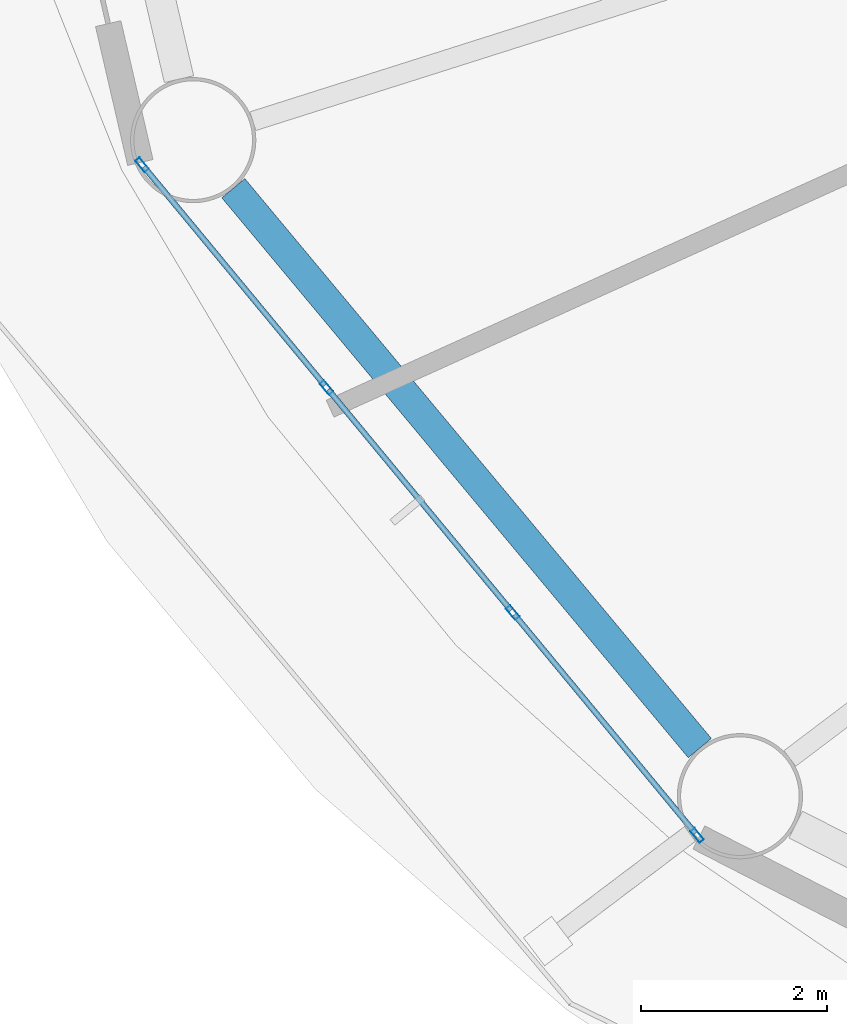
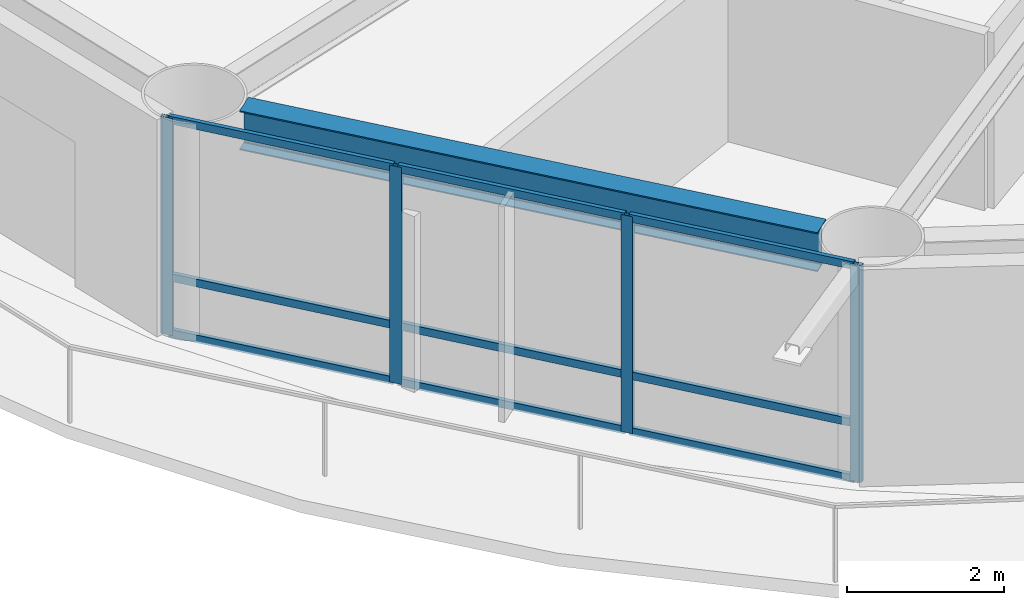
# One storey, part 2 of 24: 13 members, 1 beam, 1 element without a shape of its own.
"""IFC4 building model written with IfcOpenShell, lengths in metres."""

from ifc_helpers import new_model, si_unit, direction, frame, origin, origin_2d, place, context, subcontext, project, spatial, hollow_rectangle, i_section, extrude, material, layer, layer_set, material_profile, profile_set, type_object, element, aggregate, save


model = new_model("IFC4")

# Units and contexts
model_context = context("Model", 3, precision=1e-05, world=origin(), true_north=direction((0.0, 1.0)))
body_context = subcontext(model_context, "Body", "Model", "MODEL_VIEW")
ifc_project = project(units=[si_unit("LENGTHUNIT", "METRE"), si_unit("AREAUNIT", "SQUARE_METRE"), si_unit("VOLUMEUNIT", "CUBIC_METRE"), si_unit("PLANEANGLEUNIT", "RADIAN"), si_unit("MASSUNIT", "GRAM", prefix="KILO")], contexts=[model_context])

# Site, building, storey
site_placement = place(None, origin())
site = spatial("IfcSite", under=ifc_project, at=site_placement, CompositionType="ELEMENT")
building_placement = place(site_placement, origin())
building = spatial("IfcBuilding", under=site, at=building_placement, Name="Sarneth Arch Tower", CompositionType="ELEMENT")
storey_placement = place(building_placement, frame((0.0, 0.0, 120.0)))
storey = spatial("IfcBuildingStorey", under=building, at=storey_placement, Name="L30", CompositionType="ELEMENT", Elevation=120.0)

# Beam
ifc_material_1 = material(Name="Steel S355", Category="steel")
ifc_material_profile_1 = material_profile(ifc_material_1, i_section(OverallWidth=0.323974609375, OverallDepth=0.611083984375, WebThickness=0.0126953125, FlangeThickness=0.01904296875, FilletRadius=0.01904296875, at=origin_2d()), Name="W610x155")
ifc_profile_set_1 = profile_set([ifc_material_profile_1], Name="Steel S355")
beam_type = type_object("IfcBeamType", Name="BM-SPAN-610B", PredefinedType="SPANDREL", material=ifc_profile_set_1)
beam_placement = place(storey_placement, frame((22.140869140625, 33.138916015625, 3.074462890625), z_axis=(0.640169116175, -0.768234015581, 0.0), x_axis=(0.768234015581, 0.640169116175, 0.0)))
element("IfcBeam", 1, at=beam_placement, inside=storey, type_object=beam_type, Name="L30 Perimeter spandrel beam 10", PredefinedType="SPANDREL", context=body_context, shape_type="SweptSolid", body=[
    extrude(i_section(OverallWidth=0.323974609375, OverallDepth=0.611083984375, WebThickness=0.0126953125, FlangeThickness=0.01904296875, FilletRadius=0.01904296875, at=origin_2d()), origin(), (0.0, 0.0, 1.0), 7.856201171875),
])

# Curtain wall, members
ifc_material_2 = material(Name="Anodised aluminium Type AA25 and solar-control low-e laminated IGU", Category="aluminium")
ifc_layer = layer(ifc_material_2, 0.159912109375)
ifc_layer_set = layer_set([ifc_layer], Name="Anodised aluminium Type AA25 and solar-control low-e laminated IGU")
curtain_wall_type = type_object("IfcCurtainWallType", Name="CW-HOTEL-MID", PredefinedType="NOTDEFINED", material=ifc_layer_set)
curtain_wall_placement = place(storey_placement, origin())
curtain_wall = element("IfcCurtainWall", 2, at=curtain_wall_placement, inside=storey, type_object=curtain_wall_type, Name="L30 Unitised curtain wall facet 10", PredefinedType="NOTDEFINED")
ifc_material_3 = material(Name="Anodised Aluminium 6063-T6", Category="aluminium")
ifc_material_profile_2 = material_profile(ifc_material_3, hollow_rectangle(XDim=0.06005859375, YDim=0.159912109375, WallThickness=0.00390625, at=origin_2d()), Name="AL-MULL-160x60x4")
ifc_profile_set_2 = profile_set([ifc_material_profile_2], Name="Anodised Aluminium 6063-T6")
member_type_1 = type_object("IfcMemberType", Name="CW-MULLION", PredefinedType="MULLION", material=ifc_profile_set_2)
member_1_placement = place(storey_placement, frame((21.15771484375, 33.393310546875, 0.0), z_axis=(0.0, 0.0, 1.0), x_axis=(0.770437787363, 0.637515188684, 0.0)))
member_1 = element("IfcMember", 3, at=member_1_placement, type_object=member_type_1, Name="CW-SYS-4 mullion 1", PredefinedType="MULLION", context=body_context, shape_type="SweptSolid", body=[
    extrude(hollow_rectangle(XDim=0.06005859375, YDim=0.159912109375, WallThickness=0.00390625, at=origin_2d()), origin(), (0.0, 0.0, 1.0), 3.3798828125),
])
member_2_placement = place(storey_placement, frame((23.145751953125, 30.99072265625, 0.0), z_axis=(0.0, 0.0, 1.0), x_axis=(0.770437787363, 0.637515188684, 0.0)))
member_2 = element("IfcMember", 4, at=member_2_placement, type_object=member_type_1, Name="CW-SYS-4 mullion 2", PredefinedType="MULLION", context=body_context, shape_type="SweptSolid", body=[
    extrude(hollow_rectangle(XDim=0.06005859375, YDim=0.159912109375, WallThickness=0.00390625, at=origin_2d()), origin(), (0.0, 0.0, 1.0), 3.3798828125),
])
member_3_placement = place(storey_placement, frame((25.15283203125, 28.565185546875, 0.0), z_axis=(0.0, 0.0, 1.0), x_axis=(0.770437787363, 0.637515188684, 0.0)))
member_3 = element("IfcMember", 5, at=member_3_placement, type_object=member_type_1, Name="CW-SYS-4 mullion 3", PredefinedType="MULLION", context=body_context, shape_type="SweptSolid", body=[
    extrude(hollow_rectangle(XDim=0.06005859375, YDim=0.159912109375, WallThickness=0.00390625, at=origin_2d()), origin(), (0.0, 0.0, 1.0), 3.3798828125),
])
member_4_placement = place(storey_placement, frame((27.140869140625, 26.16259765625, 0.0), z_axis=(0.0, 0.0, 1.0), x_axis=(0.770437787363, 0.637515188684, 0.0)))
member_4 = element("IfcMember", 6, at=member_4_placement, type_object=member_type_1, Name="CW-SYS-4 mullion 4", PredefinedType="MULLION", context=body_context, shape_type="SweptSolid", body=[
    extrude(hollow_rectangle(XDim=0.06005859375, YDim=0.159912109375, WallThickness=0.00390625, at=origin_2d()), origin(), (0.0, 0.0, 1.0), 3.3798828125),
])
ifc_material_4 = material(Name="Anodised Aluminium 6063-T6", Category="aluminium")
ifc_material_profile_3 = material_profile(ifc_material_4, hollow_rectangle(XDim=0.06005859375, YDim=0.1201171875, WallThickness=0.00390625, at=origin_2d()), Name="AL-TRAN-120x60x4")
ifc_profile_set_3 = profile_set([ifc_material_profile_3], Name="Anodised Aluminium 6063-T6")
member_type_2 = type_object("IfcMemberType", Name="CW-TRANSOM", PredefinedType="USERDEFINED", material=ifc_profile_set_3)
member_5_placement = place(storey_placement, frame((21.1767578125, 33.3701171875, 0.030029296875), z_axis=(0.637566080343, -0.770395673142, 0.0), x_axis=(0.770395673142, 0.637566080343, 0.0)))
member_5 = element("IfcMember", 7, at=member_5_placement, type_object=member_type_2, Name="CW-SYS-4 transom 1.1", ObjectType="TRANSOM", PredefinedType="USERDEFINED", context=body_context, shape_type="SweptSolid", body=[
    extrude(hollow_rectangle(XDim=0.06005859375, YDim=0.1201171875, WallThickness=0.00390625, at=origin_2d()), origin(), (0.0, 0.0, 1.0), 3.058349609375),
])
member_6_placement = place(storey_placement, frame((21.1767578125, 33.3701171875, 0.89990234375), z_axis=(0.637566080343, -0.770395673142, 0.0), x_axis=(0.770395673142, 0.637566080343, 0.0)))
member_6 = element("IfcMember", 8, at=member_6_placement, type_object=member_type_2, Name="CW-SYS-4 transom 1.2", ObjectType="TRANSOM", PredefinedType="USERDEFINED", context=body_context, shape_type="SweptSolid", body=[
    extrude(hollow_rectangle(XDim=0.06005859375, YDim=0.1201171875, WallThickness=0.00390625, at=origin_2d()), origin(), (0.0, 0.0, 1.0), 3.058349609375),
])
member_7_placement = place(storey_placement, frame((21.1767578125, 33.3701171875, 3.35009765625), z_axis=(0.637566080343, -0.770395673142, 0.0), x_axis=(0.770395673142, 0.637566080343, 0.0)))
member_7 = element("IfcMember", 9, at=member_7_placement, type_object=member_type_2, Name="CW-SYS-4 transom 1.3", ObjectType="TRANSOM", PredefinedType="USERDEFINED", context=body_context, shape_type="SweptSolid", body=[
    extrude(hollow_rectangle(XDim=0.06005859375, YDim=0.1201171875, WallThickness=0.00390625, at=origin_2d()), origin(), (0.0, 0.0, 1.0), 3.058349609375),
])
member_8_placement = place(storey_placement, frame((23.164794921875, 30.9677734375, 0.030029296875), z_axis=(0.637536975021, -0.770419759275, 0.0), x_axis=(0.770419759275, 0.637536975021, 0.0)))
member_8 = element("IfcMember", 10, at=member_8_placement, type_object=member_type_2, Name="CW-SYS-4 transom 2.1", ObjectType="TRANSOM", PredefinedType="USERDEFINED", context=body_context, shape_type="SweptSolid", body=[
    extrude(hollow_rectangle(XDim=0.06005859375, YDim=0.1201171875, WallThickness=0.00390625, at=origin_2d()), origin(), (0.0, 0.0, 1.0), 3.08837890625),
])
member_9_placement = place(storey_placement, frame((23.164794921875, 30.9677734375, 0.89990234375), z_axis=(0.637536975021, -0.770419759275, 0.0), x_axis=(0.770419759275, 0.637536975021, 0.0)))
member_9 = element("IfcMember", 11, at=member_9_placement, type_object=member_type_2, Name="CW-SYS-4 transom 2.2", ObjectType="TRANSOM", PredefinedType="USERDEFINED", context=body_context, shape_type="SweptSolid", body=[
    extrude(hollow_rectangle(XDim=0.06005859375, YDim=0.1201171875, WallThickness=0.00390625, at=origin_2d()), origin(), (0.0, 0.0, 1.0), 3.08837890625),
])
member_10_placement = place(storey_placement, frame((23.164794921875, 30.9677734375, 3.35009765625), z_axis=(0.637536975021, -0.770419759275, 0.0), x_axis=(0.770419759275, 0.637536975021, 0.0)))
member_10 = element("IfcMember", 12, at=member_10_placement, type_object=member_type_2, Name="CW-SYS-4 transom 2.3", ObjectType="TRANSOM", PredefinedType="USERDEFINED", context=body_context, shape_type="SweptSolid", body=[
    extrude(hollow_rectangle(XDim=0.06005859375, YDim=0.1201171875, WallThickness=0.00390625, at=origin_2d()), origin(), (0.0, 0.0, 1.0), 3.08837890625),
])
member_11_placement = place(storey_placement, frame((25.171875, 28.5419921875, 0.030029296875), z_axis=(0.637566080343, -0.770395673142, 0.0), x_axis=(0.770395673142, 0.637566080343, 0.0)))
member_11 = element("IfcMember", 13, at=member_11_placement, type_object=member_type_2, Name="CW-SYS-4 transom 3.1", ObjectType="TRANSOM", PredefinedType="USERDEFINED", context=body_context, shape_type="SweptSolid", body=[
    extrude(hollow_rectangle(XDim=0.06005859375, YDim=0.1201171875, WallThickness=0.00390625, at=origin_2d()), origin(), (0.0, 0.0, 1.0), 3.058349609375),
])
member_12_placement = place(storey_placement, frame((25.171875, 28.5419921875, 0.89990234375), z_axis=(0.637566080343, -0.770395673142, 0.0), x_axis=(0.770395673142, 0.637566080343, 0.0)))
member_12 = element("IfcMember", 14, at=member_12_placement, type_object=member_type_2, Name="CW-SYS-4 transom 3.2", ObjectType="TRANSOM", PredefinedType="USERDEFINED", context=body_context, shape_type="SweptSolid", body=[
    extrude(hollow_rectangle(XDim=0.06005859375, YDim=0.1201171875, WallThickness=0.00390625, at=origin_2d()), origin(), (0.0, 0.0, 1.0), 3.058349609375),
])
member_13_placement = place(storey_placement, frame((25.171875, 28.5419921875, 3.35009765625), z_axis=(0.637566080343, -0.770395673142, 0.0), x_axis=(0.770395673142, 0.637566080343, 0.0)))
member_13 = element("IfcMember", 15, at=member_13_placement, type_object=member_type_2, Name="CW-SYS-4 transom 3.3", ObjectType="TRANSOM", PredefinedType="USERDEFINED", context=body_context, shape_type="SweptSolid", body=[
    extrude(hollow_rectangle(XDim=0.06005859375, YDim=0.1201171875, WallThickness=0.00390625, at=origin_2d()), origin(), (0.0, 0.0, 1.0), 3.058349609375),
])
aggregate(curtain_wall, [member_1, member_2, member_3, member_4, member_5, member_6, member_7, member_8, member_9, member_10, member_11, member_12, member_13])

save(model, "model.ifc")
